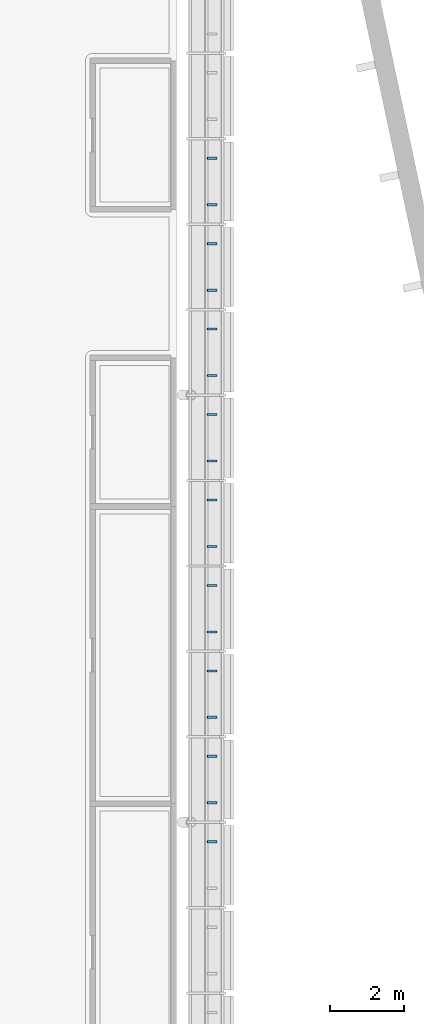
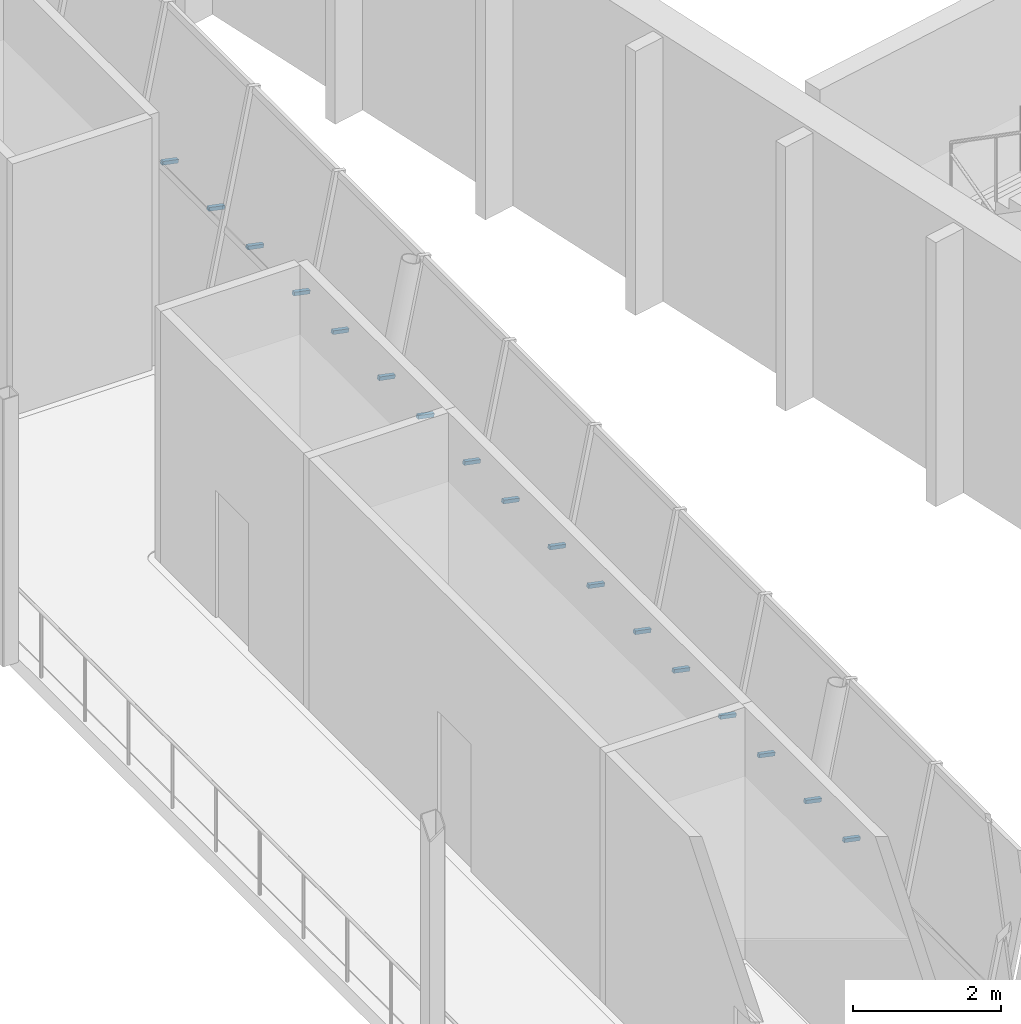
# One storey, part 91 of 115: 17 discrete accessories.
"""IFC4 building model written with IfcOpenShell, lengths in metres."""

from ifc_helpers import new_model, si_unit, direction, frame, origin, origin_2d, place, context, subcontext, project, spatial, rectangle, extrude, element, save


model = new_model("IFC4")

# Units and contexts
model_context = context("Model", 3, precision=1e-05, world=origin(), true_north=direction((0.0, 1.0)))
body_context = subcontext(model_context, "Body", "Model", "MODEL_VIEW")
ifc_project = project(units=[si_unit("LENGTHUNIT", "METRE"), si_unit("AREAUNIT", "SQUARE_METRE"), si_unit("VOLUMEUNIT", "CUBIC_METRE"), si_unit("PLANEANGLEUNIT", "RADIAN"), si_unit("MASSUNIT", "GRAM", prefix="KILO")], contexts=[model_context])

# Site, building, storey
site_placement = place(None, origin())
site = spatial("IfcSite", under=ifc_project, at=site_placement, CompositionType="ELEMENT")
building_placement = place(site_placement, origin())
building = spatial("IfcBuilding", under=site, at=building_placement, Name="Windward Yard Aquatics Centre", CompositionType="ELEMENT")
storey_placement = place(building_placement, frame((0.0, 0.0, 5.0)))
storey = spatial("IfcBuildingStorey", under=building, at=storey_placement, Name="L01", CompositionType="ELEMENT", Elevation=5.0)

# Discrete accessories
for number, where, z_axis, x_axis, name in (
    (1, (152.3876953125, 48.975830078125, 2.193603515625), (0.979936662274, 0.0, -0.199309151649), (0.0, 1.0, 0.0), "Louvre bracket E L01 A5.2"),
    (2, (152.3876953125, 50.024169921875, 2.193603515625), (0.979936662274, 0.0, -0.199309151649), (0.0, 1.0, 0.0), "Louvre bracket E L01 A6.1"),
    (3, (152.3876953125, 51.27587890625, 2.193603515625), (0.979936662274, 0.0, -0.199309151649), (0.0, 1.0, 0.0), "Louvre bracket E L01 A6.2"),
    (4, (152.3876953125, 52.32421875, 2.193603515625), (0.979936662274, 0.0, -0.199309151649), (0.0, 1.0, 0.0), "Louvre bracket E L01 A7.1"),
    (5, (152.3876953125, 53.57568359375, 2.193603515625), (0.979936662274, 0.0, -0.199309151649), (0.0, 1.0, 0.0), "Louvre bracket E L01 A7.2"),
    (6, (152.3876953125, 54.624267578125, 2.193603515625), (0.979936662274, 0.0, -0.199309151649), (0.0, 1.0, 0.0), "Louvre bracket E L01 A8.1"),
    (7, (152.3876953125, 55.875732421875, 2.193603515625), (0.979936662274, 0.0, -0.199309151649), (0.0, 1.0, 0.0), "Louvre bracket E L01 A8.2"),
    (8, (152.3876953125, 56.92431640625, 2.193603515625), (0.979936662274, 0.0, -0.199309151649), (0.0, 1.0, 0.0), "Louvre bracket E L01 A9.1"),
    (9, (152.3876953125, 58.17578125, 2.193603515625), (0.979936662274, 0.0, -0.199309151649), (0.0, 1.0, 0.0), "Louvre bracket E L01 A9.2"),
    (10, (152.3876953125, 59.22412109375, 2.193603515625), (0.979936662274, 0.0, -0.199309151649), (0.0, 1.0, 0.0), "Louvre bracket E L01 A10.1"),
    (11, (152.3876953125, 60.475830078125, 2.193603515625), (0.979936662274, 0.0, -0.199309151649), (0.0, 1.0, 0.0), "Louvre bracket E L01 A10.2"),
    (12, (152.3876953125, 61.524169921875, 2.193603515625), (0.979936662274, 0.0, -0.199309151649), (0.0, 1.0, 0.0), "Louvre bracket E L01 A11.1"),
    (13, (152.3876953125, 62.77587890625, 2.193603515625), (0.979936662274, 0.0, -0.199309151649), (0.0, 1.0, 0.0), "Louvre bracket E L01 A11.2"),
    (14, (152.3876953125, 63.82421875, 2.193603515625), (0.979936662274, 0.0, -0.199309151649), (0.0, 1.0, 0.0), "Louvre bracket E L01 A12.1"),
    (15, (152.3876953125, 65.07568359375, 2.193603515625), (0.979936662274, 0.0, -0.199309151649), (0.0, 1.0, 0.0), "Louvre bracket E L01 A12.2"),
    (16, (152.3876953125, 66.124267578125, 2.193603515625), (0.979936662274, 0.0, -0.199309151649), (0.0, 1.0, 0.0), "Louvre bracket E L01 A13.1"),
    (17, (152.3876953125, 67.375732421875, 2.193603515625), (0.979936662274, 0.0, -0.199309151649), (0.0, 1.0, 0.0), "Louvre bracket E L01 A13.2"),
):
    element("IfcDiscreteAccessory", number, at=place(storey_placement, frame(where, z_axis=z_axis, x_axis=x_axis)), inside=storey, Name=name, PredefinedType="BRACKET", context=body_context, shape_type="SweptSolid", body=[
        extrude(rectangle(XDim=0.06005859375, YDim=0.06005859375, at=origin_2d()), origin(), (0.0, 0.0, 1.0), 0.25),
    ])

save(model, "model.ifc")
